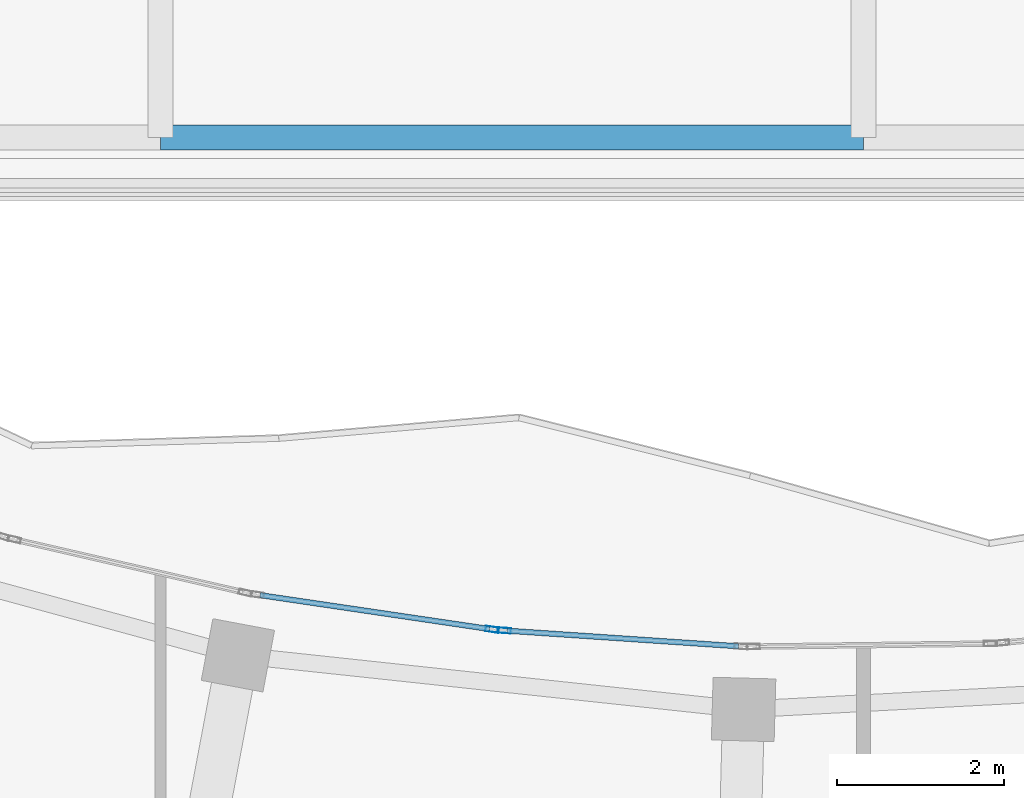
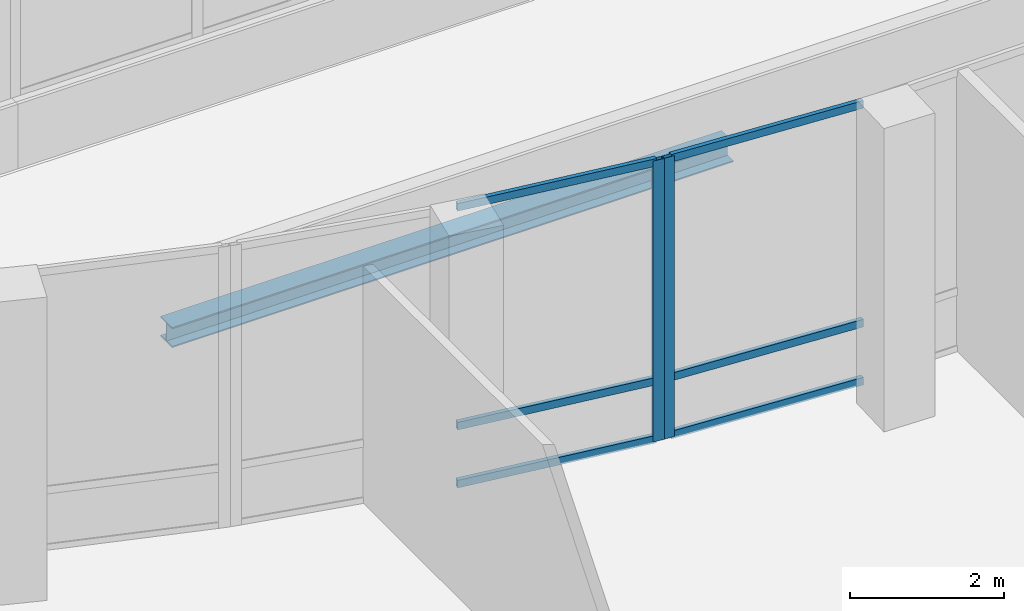
# One storey, part 32 of 168: 8 members, 1 beam, 2 elements without a shape of their own.
"""IFC4 building model written with IfcOpenShell, lengths in metres."""

from ifc_helpers import new_model, si_unit, direction, frame, origin, origin_2d, place, context, subcontext, project, spatial, hollow_rectangle, i_section, extrude, material, material_profile, profile_set, type_object, element, aggregate, save


model = new_model("IFC4")

# Units and contexts
model_context = context("Model", 3, precision=1e-05, world=origin(), true_north=direction((0.0, 1.0)))
body_context = subcontext(model_context, "Body", "Model", "MODEL_VIEW")
ifc_project = project(units=[si_unit("LENGTHUNIT", "METRE"), si_unit("AREAUNIT", "SQUARE_METRE"), si_unit("VOLUMEUNIT", "CUBIC_METRE"), si_unit("PLANEANGLEUNIT", "RADIAN"), si_unit("MASSUNIT", "GRAM", prefix="KILO")], contexts=[model_context])

# Site, building, storey
site_placement = place(None, origin())
site = spatial("IfcSite", under=ifc_project, at=site_placement, CompositionType="ELEMENT")
building_placement = place(site_placement, origin())
building = spatial("IfcBuilding", under=site, at=building_placement, Name="Selatvlak General Hospital", CompositionType="ELEMENT")
storey_placement = place(building_placement, frame((0.0, 0.0, 5.39990234375)))
storey = spatial("IfcBuildingStorey", under=building, at=storey_placement, Name="L01", CompositionType="ELEMENT", Elevation=5.39990234375)

# Beam
ifc_material_1 = material(Name="Steel S355", Category="steel")
ifc_material_profile_1 = material_profile(ifc_material_1, i_section(OverallWidth=0.300048828125, OverallDepth=0.320068359375, WebThickness=0.011474609375, FlangeThickness=0.0205078125, at=origin_2d()), Name="HEB 320")
ifc_profile_set_1 = profile_set([ifc_material_profile_1], Name="Steel S355")
beam_type = type_object("IfcBeamType", Name="BM-CAN", PredefinedType="BEAM", material=ifc_profile_set_1)
beam_placement = place(storey_placement, frame((48.0, 48.10009765625, -0.47998046875), z_axis=(1.0, 0.0, 0.0), x_axis=(0.0, 1.0, 0.0)))
element("IfcBeam", 1, at=beam_placement, inside=storey, type_object=beam_type, Name="Beam BMR-L01-2941", PredefinedType="BEAM", context=body_context, shape_type="SweptSolid", body=[
    extrude(i_section(OverallWidth=0.300048828125, OverallDepth=0.320068359375, WebThickness=0.011474609375, FlangeThickness=0.0205078125, at=origin_2d()), origin(), (0.0, 0.0, 1.0), 8.39990234375),
])

# Curtain wall, member
ifc_material_2 = material(Name="Solar-control Low-E double glazing", Category="glass")
curtain_wall_type_1 = type_object("IfcCurtainWallType", Name="CW-CW-02", PredefinedType="USERDEFINED", material=ifc_material_2)
curtain_wall_1_placement = place(storey_placement, origin())
curtain_wall_1 = element("IfcCurtainWall", 2, at=curtain_wall_1_placement, inside=storey, type_object=curtain_wall_type_1, Name="Glazed facade curtain wall CW-L01-0196", ObjectType="UNITISED CURTAIN WALL", PredefinedType="USERDEFINED")
ifc_material_3 = material(Name="Dark anodised aluminium mullion", Category="aluminium")
ifc_material_profile_2 = material_profile(ifc_material_3, hollow_rectangle(XDim=0.06494140625, YDim=0.159912109375, WallThickness=0.00390625, at=origin_2d()), Name="AL-MUL 65x160x4")
ifc_profile_set_2 = profile_set([ifc_material_profile_2], Name="Dark anodised aluminium mullion")
member_type_1 = type_object("IfcMemberType", Name="CWM-01", PredefinedType="MULLION", material=ifc_profile_set_2)
member_1_placement = place(storey_placement, frame((51.962890625, 42.2197265625, 0.0), z_axis=(0.0, 0.0, 1.0), x_axis=(0.146148900327, 0.989262603626, 0.0)))
member_1 = element("IfcMember", 3, at=member_1_placement, type_object=member_type_1, Name="CW-02 mullion 2", PredefinedType="MULLION", context=body_context, shape_type="SweptSolid", body=[
    extrude(hollow_rectangle(XDim=0.06494140625, YDim=0.159912109375, WallThickness=0.00390625, at=origin_2d()), origin(), (0.0, 0.0, 1.0), 4.445068359375),
])

curtain_wall_type_2 = type_object("IfcCurtainWallType", Name="CW-CW-01", PredefinedType="USERDEFINED", material=ifc_material_2)
curtain_wall_2_placement = place(storey_placement, origin())
curtain_wall_2 = element("IfcCurtainWall", 4, at=curtain_wall_2_placement, inside=storey, type_object=curtain_wall_type_2, Name="Glazed facade curtain wall CW-L01-0197", ObjectType="UNITISED CURTAIN WALL", PredefinedType="USERDEFINED")
member_2_placement = place(storey_placement, frame((52.107421875, 42.206787109375, 0.0), z_axis=(0.0, 0.0, 1.0), x_axis=(0.067182127799, 0.997740728699, 0.0)))
member_2 = element("IfcMember", 5, at=member_2_placement, type_object=member_type_1, Name="CW-01 mullion 1", PredefinedType="MULLION", context=body_context, shape_type="SweptSolid", body=[
    extrude(hollow_rectangle(XDim=0.06494140625, YDim=0.159912109375, WallThickness=0.00390625, at=origin_2d()), origin(), (0.0, 0.0, 1.0), 4.445068359375),
])

# Member
ifc_material_profile_3 = material_profile(ifc_material_3, hollow_rectangle(XDim=0.06494140625, YDim=0.1201171875, WallThickness=0.00390625, at=origin_2d()), Name="AL-TRN 65x120x4")
ifc_profile_set_3 = profile_set([ifc_material_profile_3], Name="Dark anodised aluminium mullion")
member_type_2 = type_object("IfcMemberType", Name="CWT-01", PredefinedType="USERDEFINED", material=ifc_profile_set_3)
member_3_placement = place(storey_placement, frame((49.189208984375, 42.62939453125, 0.03271484375), z_axis=(0.989274299391, -0.146069711318, 0.0), x_axis=(0.146069711318, 0.989274299391, 0.0)))
member_3 = element("IfcMember", 6, at=member_3_placement, type_object=member_type_2, Name="CW-02 transom 1.1", ObjectType="TRANSOM", PredefinedType="USERDEFINED", context=body_context, shape_type="SweptSolid", body=[
    extrude(hollow_rectangle(XDim=0.06494140625, YDim=0.1201171875, WallThickness=0.00390625, at=origin_2d()), origin(), (0.0, 0.0, 1.0), 2.771240234375),
])

member_4_placement = place(storey_placement, frame((49.189208984375, 42.62939453125, 0.9501953125), z_axis=(0.989274299391, -0.146069711318, 0.0), x_axis=(0.146069711318, 0.989274299391, 0.0)))
member_4 = element("IfcMember", 7, at=member_4_placement, type_object=member_type_2, Name="CW-02 transom 1.2", ObjectType="TRANSOM", PredefinedType="USERDEFINED", context=body_context, shape_type="SweptSolid", body=[
    extrude(hollow_rectangle(XDim=0.06494140625, YDim=0.1201171875, WallThickness=0.00390625, at=origin_2d()), origin(), (0.0, 0.0, 1.0), 2.771240234375),
])

member_5_placement = place(storey_placement, frame((49.189208984375, 42.62939453125, 4.41259765625), z_axis=(0.989274299391, -0.146069711318, 0.0), x_axis=(0.146069711318, 0.989274299391, 0.0)))
member_5 = element("IfcMember", 8, at=member_5_placement, type_object=member_type_2, Name="CW-02 transom 1.3", ObjectType="TRANSOM", PredefinedType="USERDEFINED", context=body_context, shape_type="SweptSolid", body=[
    extrude(hollow_rectangle(XDim=0.06494140625, YDim=0.1201171875, WallThickness=0.00390625, at=origin_2d()), origin(), (0.0, 0.0, 1.0), 2.771240234375),
])

aggregate(curtain_wall_1, [member_1, member_3, member_4, member_5])

member_6_placement = place(storey_placement, frame((52.139892578125, 42.20458984375, 0.03271484375), z_axis=(0.997740518771, -0.067185245417, 0.0), x_axis=(0.067185245417, 0.997740518771, 0.0)))
member_6 = element("IfcMember", 9, at=member_6_placement, type_object=member_type_2, Name="CW-01 transom 1.1", ObjectType="TRANSOM", PredefinedType="USERDEFINED", context=body_context, shape_type="SweptSolid", body=[
    extrude(hollow_rectangle(XDim=0.06494140625, YDim=0.1201171875, WallThickness=0.00390625, at=origin_2d()), origin(), (0.0, 0.0, 1.0), 2.772705078125),
])

member_7_placement = place(storey_placement, frame((52.139892578125, 42.20458984375, 0.9501953125), z_axis=(0.997740518771, -0.067185245417, 0.0), x_axis=(0.067185245417, 0.997740518771, 0.0)))
member_7 = element("IfcMember", 10, at=member_7_placement, type_object=member_type_2, Name="CW-01 transom 1.2", ObjectType="TRANSOM", PredefinedType="USERDEFINED", context=body_context, shape_type="SweptSolid", body=[
    extrude(hollow_rectangle(XDim=0.06494140625, YDim=0.1201171875, WallThickness=0.00390625, at=origin_2d()), origin(), (0.0, 0.0, 1.0), 2.772705078125),
])

member_8_placement = place(storey_placement, frame((52.139892578125, 42.20458984375, 4.41259765625), z_axis=(0.997740518771, -0.067185245417, 0.0), x_axis=(0.067185245417, 0.997740518771, 0.0)))
member_8 = element("IfcMember", 11, at=member_8_placement, type_object=member_type_2, Name="CW-01 transom 1.3", ObjectType="TRANSOM", PredefinedType="USERDEFINED", context=body_context, shape_type="SweptSolid", body=[
    extrude(hollow_rectangle(XDim=0.06494140625, YDim=0.1201171875, WallThickness=0.00390625, at=origin_2d()), origin(), (0.0, 0.0, 1.0), 2.772705078125),
])

aggregate(curtain_wall_2, [member_2, member_6, member_7, member_8])

save(model, "model.ifc")
